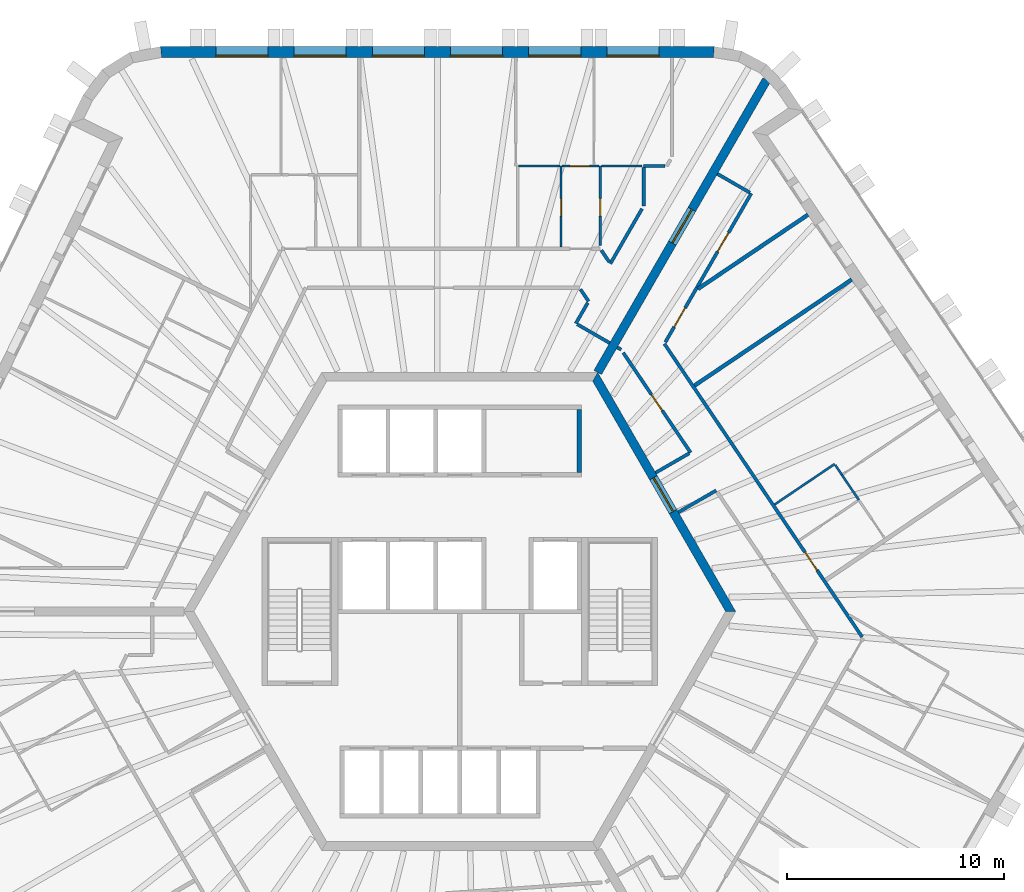
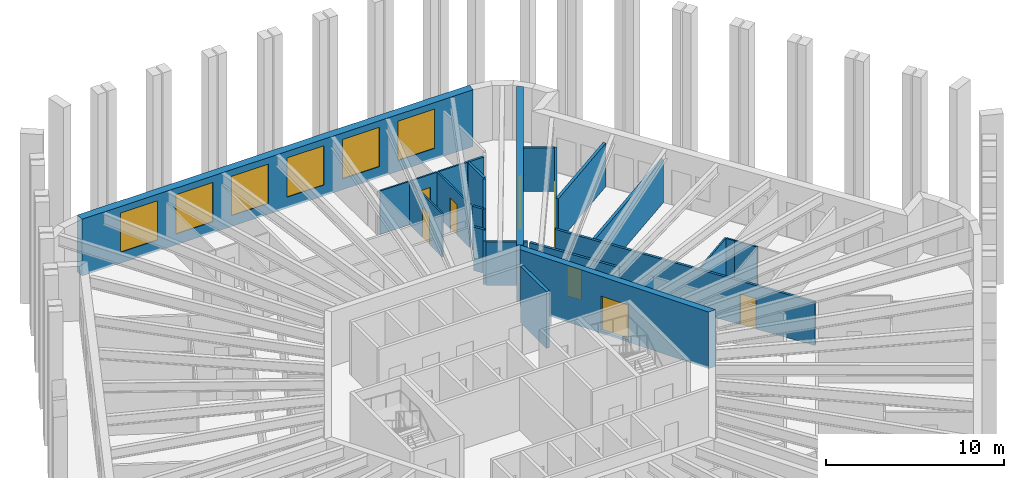
# One storey, part 10 of 13: 28 walls, 9 doors, 6 windows, 15 openings.
"""IFC4 building model written with IfcOpenShell, lengths in metres."""

from ifc_helpers import new_model, si_unit, direction, frame, frame_2d, origin, place, context, subcontext, project, spatial, polyline, rectangle, outline, extrude, material, layer, layer_set, type_object, element, fill, save


model = new_model("IFC4")

# Units and contexts
model_context = context("Model", 3, precision=1e-05, world=origin(), true_north=direction((0.0, 1.0)))
body_context = subcontext(model_context, "Body", "Model", "MODEL_VIEW")
ifc_project = project(units=[si_unit("LENGTHUNIT", "METRE"), si_unit("AREAUNIT", "SQUARE_METRE"), si_unit("VOLUMEUNIT", "CUBIC_METRE"), si_unit("PLANEANGLEUNIT", "RADIAN"), si_unit("MASSUNIT", "GRAM", prefix="KILO")], contexts=[model_context])

# Site, building, storey
site_placement = place(None, origin())
site = spatial("IfcSite", under=ifc_project, at=site_placement, CompositionType="ELEMENT")
building_placement = place(site_placement, origin())
building = spatial("IfcBuilding", under=site, at=building_placement, Name="Tarnside Tower", CompositionType="ELEMENT")
storey_placement = place(building_placement, frame((0.0, 0.0, 314.699951171875)))
storey = spatial("IfcBuildingStorey", under=building, at=storey_placement, Name="L76", CompositionType="ELEMENT", Elevation=314.699951171875)

# Wall, opening, door
ifc_material_1 = material(Name="Gypsum board partition on steel studs", Category="steel")
ifc_layer_1 = layer(ifc_material_1, 0.10009765625)
ifc_layer_set_1 = layer_set([ifc_layer_1], Name="Bathroom wall 100")
wall_type_1 = type_object("IfcWallType", Name="Bathroom wall 100", PredefinedType="PARTITIONING", material=ifc_layer_set_1)
wall_1_placement = place(storey_placement, frame((4.6669921875, 20.5, 0.0), z_axis=(0.0, 0.0, 1.0), x_axis=(0.0, -1.0, 0.0)))
wall_1 = element("IfcWall", 1, at=wall_1_placement, inside=storey, type_object=wall_type_1, Name="Bathroom wall 25089", PredefinedType="PARTITIONING", context=body_context, shape_type="SweptSolid", body=[
    extrude(rectangle(XDim=3.72509765625, YDim=0.10009765625, at=frame_2d((1.862548828125, 0.0))), origin(), (0.0, 0.0, 1.0), 2.98779296875),
])
opening_1_placement = place(wall_1_placement, frame((1.5, 0.0, 0.0)))
opening_1 = element("IfcOpeningElement", 2, at=opening_1_placement, cuts=wall_1, Name="Opening D-B1", PredefinedType="OPENING", context=body_context, shape_type="SweptSolid", body=[
    extrude(rectangle(XDim=0.800048828125, YDim=2.10009765625, at=frame_2d((0.39990234375, 1.050048828125))), frame((0.0, 0.06005859375, 0.0), z_axis=(0.0, -1.0, 0.0), x_axis=(1.0, 0.0, 0.0)), (0.0, 0.0, 1.0), 0.1201171875),
])
ifc_material_2 = material(Name="Timber door leaf", Category="wood")
door_type_1 = type_object("IfcDoorType", Name="Bathroom door 800", OperationType="NOTDEFINED", PredefinedType="DOOR", material=ifc_material_2)
door_1_placement = place(opening_1_placement, origin())
door_1 = element("IfcDoor", 3, at=door_1_placement, inside=storey, type_object=door_type_1, Name="Bathroom door 25002", OperationType="SINGLE_SWING_LEFT", OverallHeight=2.10009765625, OverallWidth=0.800048828125, PredefinedType="DOOR", context=body_context, shape_type="SweptSolid", body=[
    extrude(rectangle(XDim=0.800048828125, YDim=2.10009765625, at=frame_2d((0.39990234375, 1.050048828125))), frame((0.0, 0.02490234375, 0.0), z_axis=(0.0, -1.0, 0.0), x_axis=(1.0, 0.0, 0.0)), (0.0, 0.0, 1.0), 0.050048828125),
])
fill(opening_1, door_1)

wall_2_placement = place(storey_placement, frame((6.467041015625, 16.834228515625, 0.0), z_axis=(0.0, 0.0, 1.0), x_axis=(0.0, 1.0, 0.0)))
wall_2 = element("IfcWall", 4, at=wall_2_placement, inside=storey, type_object=wall_type_1, Name="Bathroom wall 25092", PredefinedType="PARTITIONING", context=body_context, shape_type="SweptSolid", body=[
    extrude(rectangle(XDim=3.665771484375, YDim=0.10009765625, at=frame_2d((1.8330078125, 0.0))), origin(), (0.0, 0.0, 1.0), 2.98779296875),
])
opening_2_placement = place(wall_2_placement, frame((1.365966796875, 0.0, 0.0)))
opening_2 = element("IfcOpeningElement", 5, at=opening_2_placement, cuts=wall_2, Name="Opening D-B1", PredefinedType="OPENING", context=body_context, shape_type="SweptSolid", body=[
    extrude(rectangle(XDim=0.800048828125, YDim=2.10009765625, at=frame_2d((0.39990234375, 1.050048828125))), frame((0.0, 0.06005859375, 0.0), z_axis=(0.0, -1.0, 0.0), x_axis=(1.0, 0.0, 0.0)), (0.0, 0.0, 1.0), 0.1201171875),
])
door_2_placement = place(opening_2_placement, origin())
door_2 = element("IfcDoor", 6, at=door_2_placement, inside=storey, type_object=door_type_1, Name="Bathroom door 25011", OperationType="SINGLE_SWING_RIGHT", OverallHeight=2.10009765625, OverallWidth=0.800048828125, PredefinedType="DOOR", context=body_context, shape_type="SweptSolid", body=[
    extrude(rectangle(XDim=0.800048828125, YDim=2.10009765625, at=frame_2d((0.39990234375, 1.050048828125))), frame((0.0, 0.02490234375, 0.0), z_axis=(0.0, -1.0, 0.0), x_axis=(1.0, 0.0, 0.0)), (0.0, 0.0, 1.0), 0.050048828125),
])
fill(opening_2, door_2)

# Walls
wall_3_placement = place(storey_placement, frame((4.619140625, 20.5, 0.0), z_axis=(0.0, 0.0, 1.0), x_axis=(-1.0, 0.0, 0.0)))
element("IfcWall", 7, at=wall_3_placement, inside=storey, type_object=wall_type_1, Name="Bathroom wall 25093", PredefinedType="PARTITIONING", context=body_context, shape_type="SweptSolid", body=[
    extrude(rectangle(XDim=1.904052734375, YDim=0.10009765625, at=frame_2d((0.9521484375, 0.0))), origin(), (0.0, 0.0, 1.0), 2.98779296875),
])
wall_4_placement = place(storey_placement, frame((6.51708984375, 20.5, 0.0), z_axis=(0.0, 0.0, 1.0), x_axis=(1.0, 0.0, 0.0)))
element("IfcWall", 8, at=wall_4_placement, inside=storey, type_object=wall_type_1, Name="Bathroom wall 25095", PredefinedType="PARTITIONING", context=body_context, shape_type="SweptSolid", body=[
    extrude(rectangle(XDim=1.875, YDim=0.10009765625, at=frame_2d((0.9375, 0.0))), origin(), (0.0, 0.0, 1.0), 2.98779296875),
])
wall_5_placement = place(storey_placement, frame((14.49951171875, 4.925537109375, 0.0), z_axis=(0.0, 0.0, 1.0), x_axis=(0.829067379225, 0.559148710725, 0.0)))
element("IfcWall", 9, at=wall_5_placement, inside=storey, type_object=wall_type_1, Name="Bathroom wall 25166", PredefinedType="PARTITIONING", context=body_context, shape_type="SweptSolid", body=[
    extrude(rectangle(XDim=3.324951171875, YDim=0.10009765625, at=frame_2d((1.66259765625, 0.0))), origin(), (0.0, 0.0, 1.0), 2.98779296875),
])
wall_6_placement = place(storey_placement, frame((17.2841796875, 6.743408203125, 0.0), z_axis=(0.0, 0.0, 1.0), x_axis=(0.55897906803, -0.829181766263, 0.0)))
element("IfcWall", 10, at=wall_6_placement, inside=storey, type_object=wall_type_1, Name="Bathroom wall 25167", PredefinedType="PARTITIONING", context=body_context, shape_type="SweptSolid", body=[
    extrude(rectangle(XDim=0.552001953125, YDim=0.10009765625, at=frame_2d((0.27587890625, 0.0))), origin(), (0.0, 0.0, 1.0), 2.98779296875),
])
wall_7_placement = place(storey_placement, frame((18.375732421875, 5.125, 0.0), z_axis=(0.0, 0.0, 1.0), x_axis=(-0.559152802616, 0.829064619512, 0.0)))
element("IfcWall", 11, at=wall_7_placement, inside=storey, type_object=wall_type_1, Name="Bathroom wall 25172", PredefinedType="PARTITIONING", context=body_context, shape_type="SweptSolid", body=[
    extrude(rectangle(XDim=1.402099609375, YDim=0.10009765625, at=frame_2d((0.701171875, 0.0))), origin(), (0.0, 0.0, 1.0), 2.98779296875),
])

# Wall, opening, door
ifc_material_3 = material(Name="Concrete C60/75", Category="concrete")
ifc_layer_2 = layer(ifc_material_3, 0.39990234375)
ifc_layer_set_2 = layer_set([ifc_layer_2], Name="Core wall Z3 400 C60/75")
wall_type_2 = type_object("IfcWallType", Name="Core wall Z3 400 C60/75", PredefinedType="SHEAR", material=ifc_layer_set_2)
wall_8_placement = place(storey_placement, frame((12.470703125, 0.0, -0.14990234375), z_axis=(0.0, 0.0, 1.0), x_axis=(-0.499996419489, 0.866027470984, 0.0)))
wall_8 = element("IfcWall", 12, at=wall_8_placement, inside=storey, type_object=wall_type_2, Name="L76 core wall face 6", PredefinedType="SHEAR", context=body_context, shape_type="SweptSolid", body=[
    extrude(outline(polyline([(-0.115478515625, -0.199951171875), (12.586181640625, -0.199951171875), (12.355224609375, 0.199951171875), (0.115478515625, 0.199951171875), (-0.115478515625, -0.199951171875)])), origin(), (0.0, 0.0, 1.0), 3.89990234375),
])
opening_3_placement = place(wall_8_placement, frame((5.306396484375, 0.0, 0.14990234375)))
opening_3 = element("IfcOpeningElement", 13, at=opening_3_placement, cuts=wall_8, Name="Opening CD-LOB", PredefinedType="OPENING", context=body_context, shape_type="SweptSolid", body=[
    extrude(rectangle(XDim=1.800048828125, YDim=2.39990234375, at=frame_2d((0.89990234375, 1.199951171875))), frame((0.0, 0.2099609375, 0.0), z_axis=(0.0, -1.0, 0.0), x_axis=(1.0, 0.0, 0.0)), (0.0, 0.0, 1.0), 0.419921875),
])
ifc_material_4 = material(Name="Steel fire door", Category="steel")
door_type_2 = type_object("IfcDoorType", Name="Lobby double door FD30S 1800x2400", OperationType="NOTDEFINED", PredefinedType="DOOR", material=ifc_material_4)
door_3_placement = place(opening_3_placement, origin())
door_3 = element("IfcDoor", 14, at=door_3_placement, inside=storey, type_object=door_type_2, Name="L76 core door P2", OperationType="DOUBLE_DOOR_SINGLE_SWING", OverallHeight=2.39990234375, OverallWidth=1.800048828125, PredefinedType="DOOR", context=body_context, shape_type="SweptSolid", body=[
    extrude(rectangle(XDim=1.800048828125, YDim=2.39990234375, at=frame_2d((0.89990234375, 1.199951171875))), frame((0.0, 0.02490234375, 0.0), z_axis=(0.0, -1.0, 0.0), x_axis=(1.0, 0.0, 0.0)), (0.0, 0.0, 1.0), 0.050048828125),
])
fill(opening_3, door_3)

wall_9_placement = place(storey_placement, frame((6.350830078125, 11.0, -0.14990234375), z_axis=(0.0, 0.0, 1.0), x_axis=(0.499998894578, 0.866026041999, 0.0)))
wall_9 = element("IfcWall", 15, at=wall_9_placement, inside=storey, type_object=wall_type_2, Name="L76 spine wall 1", PredefinedType="SHEAR", context=body_context, shape_type="SweptSolid", body=[
    extrude(rectangle(XDim=15.54443359375, YDim=0.39990234375, at=frame_2d((7.772216796875, 0.0))), origin(), (0.0, 0.0, 1.0), 3.89990234375),
])
opening_4_placement = place(wall_9_placement, frame((6.872314453125, 0.0, 0.14990234375)))
opening_4 = element("IfcOpeningElement", 16, at=opening_4_placement, cuts=wall_9, Name="Opening CD-SPN", PredefinedType="OPENING", context=body_context, shape_type="SweptSolid", body=[
    extrude(rectangle(XDim=1.800048828125, YDim=2.39990234375, at=frame_2d((0.89990234375, 1.199951171875))), frame((0.0, 0.2099609375, 0.0), z_axis=(0.0, -1.0, 0.0), x_axis=(1.0, 0.0, 0.0)), (0.0, 0.0, 1.0), 0.419921875),
])
door_type_3 = type_object("IfcDoorType", Name="Spine passage double door FD60 1800x2400", OperationType="NOTDEFINED", PredefinedType="DOOR", material=ifc_material_4)
door_4_placement = place(opening_4_placement, origin())
door_4 = element("IfcDoor", 17, at=door_4_placement, inside=storey, type_object=door_type_3, Name="L76 spine passage door 1", OperationType="DOUBLE_DOOR_SINGLE_SWING", OverallHeight=2.39990234375, OverallWidth=1.800048828125, PredefinedType="DOOR", context=body_context, shape_type="SweptSolid", body=[
    extrude(rectangle(XDim=1.800048828125, YDim=2.39990234375, at=frame_2d((0.89990234375, 1.199951171875))), frame((0.0, 0.02490234375, 0.0), z_axis=(0.0, -1.0, 0.0), x_axis=(1.0, 0.0, 0.0)), (0.0, 0.0, 1.0), 0.050048828125),
])
fill(opening_4, door_4)

# Walls
ifc_layer_3 = layer(ifc_material_1, 0.14990234375)
ifc_layer_set_3 = layer_set([ifc_layer_3], Name="Corridor wall 150 EI 60")
wall_type_3 = type_object("IfcWallType", Name="Corridor wall 150 EI 60", PredefinedType="PARTITIONING", material=ifc_layer_set_3)
wall_10_placement = place(storey_placement, frame((9.439697265625, 20.5, 0.0), z_axis=(0.0, 0.0, 1.0), x_axis=(-1.0, 0.0, 0.0)))
element("IfcWall", 18, at=wall_10_placement, inside=storey, type_object=wall_type_3, Name="Corridor wall 25006", PredefinedType="PARTITIONING", context=body_context, shape_type="SweptSolid", body=[
    extrude(rectangle(XDim=0.976318359375, YDim=0.14990234375, at=frame_2d((0.48828125, 0.0))), origin(), (0.0, 0.0, 1.0), 2.98779296875),
])
wall_11_placement = place(storey_placement, frame((8.467041015625, 20.425048828125, 0.0), z_axis=(0.0, 0.0, 1.0), x_axis=(0.0, -1.0, 0.0)))
element("IfcWall", 19, at=wall_11_placement, inside=storey, type_object=wall_type_3, Name="Corridor wall 25007", PredefinedType="PARTITIONING", context=body_context, shape_type="SweptSolid", body=[
    extrude(rectangle(XDim=1.759521484375, YDim=0.14990234375, at=frame_2d((0.8798828125, 0.0))), origin(), (0.0, 0.0, 1.0), 2.98779296875),
])
wall_12_placement = place(storey_placement, frame((8.39208984375, 18.53564453125, 0.0), z_axis=(0.0, 0.0, 1.0), x_axis=(-0.49996389635, -0.866046247233, 0.0)))
element("IfcWall", 20, at=wall_12_placement, inside=storey, type_object=wall_type_3, Name="Corridor wall 25008", PredefinedType="PARTITIONING", context=body_context, shape_type="SweptSolid", body=[
    extrude(rectangle(XDim=2.917724609375, YDim=0.14990234375, at=frame_2d((1.458984375, 0.0))), origin(), (0.0, 0.0, 1.0), 2.98779296875),
])
wall_13_placement = place(storey_placement, frame((6.88671875, 16.078125, 0.0), z_axis=(0.0, 0.0, 1.0), x_axis=(-0.559472855001, 0.828848674076, 0.0)))
element("IfcWall", 21, at=wall_13_placement, inside=storey, type_object=wall_type_3, Name="Corridor wall 25009", PredefinedType="PARTITIONING", context=body_context, shape_type="SweptSolid", body=[
    extrude(rectangle(XDim=0.659912109375, YDim=0.14990234375, at=frame_2d((0.330078125, 0.0))), origin(), (0.0, 0.0, 1.0), 2.98779296875),
])
wall_14_placement = place(storey_placement, frame((5.560546875, 14.824951171875, 0.0), z_axis=(0.0, 0.0, 1.0), x_axis=(0.559188682258, -0.829040419784, 0.0)))
element("IfcWall", 22, at=wall_14_placement, inside=storey, type_object=wall_type_3, Name="Corridor wall 25022", PredefinedType="PARTITIONING", context=body_context, shape_type="SweptSolid", body=[
    extrude(rectangle(XDim=0.6640625, YDim=0.14990234375, at=frame_2d((0.33203125, 0.0))), origin(), (0.0, 0.0, 1.0), 2.98779296875),
])
wall_15_placement = place(storey_placement, frame((5.89013671875, 14.2021484375, 0.0), z_axis=(0.0, 0.0, 1.0), x_axis=(-0.499986987217, -0.866032916588, 0.0)))
element("IfcWall", 23, at=wall_15_placement, inside=storey, type_object=wall_type_3, Name="Corridor wall 25023", PredefinedType="PARTITIONING", context=body_context, shape_type="SweptSolid", body=[
    extrude(rectangle(XDim=1.091796875, YDim=0.14990234375, at=frame_2d((0.5458984375, 0.0))), origin(), (0.0, 0.0, 1.0), 2.98779296875),
])
wall_16_placement = place(storey_placement, frame((5.4091796875, 13.218994140625, 0.0), z_axis=(0.0, 0.0, 1.0), x_axis=(0.866013532718, -0.500020560727, 0.0)))
element("IfcWall", 24, at=wall_16_placement, inside=storey, type_object=wall_type_3, Name="Corridor wall 25024", PredefinedType="PARTITIONING", context=body_context, shape_type="SweptSolid", body=[
    extrude(rectangle(XDim=1.72509765625, YDim=0.14990234375, at=frame_2d((0.862548828125, 0.0))), origin(), (0.0, 0.0, 1.0), 2.98779296875),
])

# Wall, opening, door
wall_17_placement = place(storey_placement, frame((18.52099609375, -1.170654296875, 0.0), z_axis=(0.0, 0.0, 1.0), x_axis=(-0.559193232449, 0.829037350656, 0.0)))
wall_17 = element("IfcWall", 25, at=wall_17_placement, inside=storey, type_object=wall_type_3, Name="Corridor wall 25062", PredefinedType="PARTITIONING", context=body_context, shape_type="SweptSolid", body=[
    extrude(rectangle(XDim=16.27197265625, YDim=0.14990234375, at=frame_2d((8.135986328125, 0.0))), origin(), (0.0, 0.0, 1.0), 2.98779296875),
])
opening_5_placement = place(wall_17_placement, frame((3.70263671875, 0.0, 0.0)))
opening_5 = element("IfcOpeningElement", 26, at=opening_5_placement, cuts=wall_17, Name="Opening D-E1", PredefinedType="OPENING", context=body_context, shape_type="SweptSolid", body=[
    extrude(rectangle(XDim=1.0, YDim=2.10009765625, at=frame_2d((0.5, 1.050048828125))), frame((0.0, 0.0849609375, 0.0), z_axis=(0.0, -1.0, 0.0), x_axis=(1.0, 0.0, 0.0)), (0.0, 0.0, 1.0), 0.169921875),
])
door_type_4 = type_object("IfcDoorType", Name="Unit entrance door 1000 FD30S", OperationType="NOTDEFINED", PredefinedType="DOOR", material=ifc_material_2)
door_5_placement = place(opening_5_placement, origin())
door_5 = element("IfcDoor", 27, at=door_5_placement, inside=storey, type_object=door_type_4, Name="Unit door 25061", OperationType="SINGLE_SWING_RIGHT", OverallHeight=2.10009765625, OverallWidth=1.0, PredefinedType="DOOR", context=body_context, shape_type="SweptSolid", body=[
    extrude(rectangle(XDim=1.0, YDim=2.10009765625, at=frame_2d((0.5, 1.050048828125))), frame((0.0, 0.02490234375, 0.0), z_axis=(0.0, -1.0, 0.0), x_axis=(1.0, 0.0, 0.0)), (0.0, 0.0, 1.0), 0.050048828125),
])
fill(opening_5, door_5)

# Wall, openings, doors
wall_18_placement = place(storey_placement, frame((9.463623046875, 12.3916015625, 0.0), z_axis=(0.0, 0.0, 1.0), x_axis=(0.499999400414, 0.866025749955, 0.0)))
wall_18 = element("IfcWall", 28, at=wall_18_placement, inside=storey, type_object=wall_type_3, Name="Corridor wall 25070", PredefinedType="PARTITIONING", context=body_context, shape_type="SweptSolid", body=[
    extrude(rectangle(XDim=7.91064453125, YDim=0.14990234375, at=frame_2d((3.955322265625, 0.0))), origin(), (0.0, 0.0, 1.0), 2.98779296875),
])
opening_6_placement = place(wall_18_placement, frame((0.8203125, 0.0, 0.0)))
opening_6 = element("IfcOpeningElement", 29, at=opening_6_placement, cuts=wall_18, Name="Opening D-E1", PredefinedType="OPENING", context=body_context, shape_type="SweptSolid", body=[
    extrude(rectangle(XDim=1.0, YDim=2.10009765625, at=frame_2d((0.5, 1.050048828125))), frame((0.0, 0.0849609375, 0.0), z_axis=(0.0, -1.0, 0.0), x_axis=(1.0, 0.0, 0.0)), (0.0, 0.0, 1.0), 0.169921875),
])
opening_7_placement = place(wall_18_placement, frame((4.8173828125, 0.0, 0.0)))
opening_7 = element("IfcOpeningElement", 30, at=opening_7_placement, cuts=wall_18, Name="Opening D-E1", PredefinedType="OPENING", context=body_context, shape_type="SweptSolid", body=[
    extrude(rectangle(XDim=1.0, YDim=2.10009765625, at=frame_2d((0.5, 1.050048828125))), frame((0.0, 0.0849609375, 0.0), z_axis=(0.0, -1.0, 0.0), x_axis=(1.0, 0.0, 0.0)), (0.0, 0.0, 1.0), 0.169921875),
])
door_6_placement = place(opening_6_placement, origin())
door_6 = element("IfcDoor", 31, at=door_6_placement, inside=storey, type_object=door_type_4, Name="Unit door 25067", OperationType="SINGLE_SWING_RIGHT", OverallHeight=2.10009765625, OverallWidth=1.0, PredefinedType="DOOR", context=body_context, shape_type="SweptSolid", body=[
    extrude(rectangle(XDim=1.0, YDim=2.10009765625, at=frame_2d((0.5, 1.050048828125))), frame((0.0, 0.02490234375, 0.0), z_axis=(0.0, -1.0, 0.0), x_axis=(1.0, 0.0, 0.0)), (0.0, 0.0, 1.0), 0.050048828125),
])
fill(opening_6, door_6)
door_7_placement = place(opening_7_placement, origin())
door_7 = element("IfcDoor", 32, at=door_7_placement, inside=storey, type_object=door_type_4, Name="Unit door 25068", OperationType="SINGLE_SWING_LEFT", OverallHeight=2.10009765625, OverallWidth=1.0, PredefinedType="DOOR", context=body_context, shape_type="SweptSolid", body=[
    extrude(rectangle(XDim=1.0, YDim=2.10009765625, at=frame_2d((0.5, 1.050048828125))), frame((0.0, 0.02490234375, 0.0), z_axis=(0.0, -1.0, 0.0), x_axis=(1.0, 0.0, 0.0)), (0.0, 0.0, 1.0), 0.050048828125),
])
fill(opening_7, door_7)

# Walls
wall_19_placement = place(storey_placement, frame((13.35400390625, 19.280029296875, 0.0), z_axis=(0.0, 0.0, 1.0), x_axis=(-0.866074815912, 0.499914405916, 0.0)))
element("IfcWall", 33, at=wall_19_placement, inside=storey, type_object=wall_type_3, Name="Corridor wall 25072", PredefinedType="PARTITIONING", context=body_context, shape_type="SweptSolid", body=[
    extrude(rectangle(XDim=1.724853515625, YDim=0.14990234375, at=frame_2d((0.8623046875, 0.0))), origin(), (0.0, 0.0, 1.0), 2.98779296875),
])
wall_20_placement = place(storey_placement, frame((10.065673828125, 4.565673828125, 0.0), z_axis=(0.0, 0.0, 1.0), x_axis=(0.866033651025, 0.499985715088, 0.0)))
element("IfcWall", 34, at=wall_20_placement, inside=storey, type_object=wall_type_3, Name="Corridor wall 25073", PredefinedType="PARTITIONING", context=body_context, shape_type="SweptSolid", body=[
    extrude(rectangle(XDim=2.0068359375, YDim=0.14990234375, at=frame_2d((1.00341796875, 0.0))), origin(), (0.0, 0.0, 1.0), 2.98779296875),
])
wall_21_placement = place(storey_placement, frame((7.24951171875, 12.156494140625, 0.0), z_axis=(0.0, 0.0, 1.0), x_axis=(0.866088799389, -0.499890179513, 0.0)))
element("IfcWall", 35, at=wall_21_placement, inside=storey, type_object=wall_type_3, Name="Corridor wall 25082", PredefinedType="PARTITIONING", context=body_context, shape_type="SweptSolid", body=[
    extrude(rectangle(XDim=0.2099609375, YDim=0.14990234375, at=frame_2d((0.10498046875, 0.0))), origin(), (0.0, 0.0, 1.0), 2.98779296875),
])

# Wall, opening, door
wall_22_placement = place(storey_placement, frame((7.527099609375, 11.90966796875, 0.0), z_axis=(0.0, 0.0, 1.0), x_axis=(0.5592050336, -0.82902939055, 0.0)))
wall_22 = element("IfcWall", 36, at=wall_22_placement, inside=storey, type_object=wall_type_3, Name="Corridor wall 25083", PredefinedType="PARTITIONING", context=body_context, shape_type="SweptSolid", body=[
    extrude(rectangle(XDim=5.54296875, YDim=0.14990234375, at=frame_2d((2.771484375, 0.0))), origin(), (0.0, 0.0, 1.0), 2.98779296875),
])
opening_8_placement = place(wall_22_placement, frame((2.321533203125, 0.0, 0.0)))
opening_8 = element("IfcOpeningElement", 37, at=opening_8_placement, cuts=wall_22, Name="Opening D-S1", PredefinedType="OPENING", context=body_context, shape_type="SweptSolid", body=[
    extrude(rectangle(XDim=0.89990234375, YDim=2.10009765625, at=frame_2d((0.449951171875, 1.050048828125))), frame((0.0, 0.0849609375, 0.0), z_axis=(0.0, -1.0, 0.0), x_axis=(1.0, 0.0, 0.0)), (0.0, 0.0, 1.0), 0.169921875),
])
door_type_5 = type_object("IfcDoorType", Name="Service room door 900 FD30S", OperationType="NOTDEFINED", PredefinedType="DOOR", material=ifc_material_2)
door_8_placement = place(opening_8_placement, origin())
door_8 = element("IfcDoor", 38, at=door_8_placement, inside=storey, type_object=door_type_5, Name="Service door 25077", OperationType="SINGLE_SWING_RIGHT", OverallHeight=2.10009765625, OverallWidth=0.89990234375, PredefinedType="DOOR", context=body_context, shape_type="SweptSolid", body=[
    extrude(rectangle(XDim=0.89990234375, YDim=2.10009765625, at=frame_2d((0.449951171875, 1.050048828125))), frame((0.0, 0.02490234375, 0.0), z_axis=(0.0, -1.0, 0.0), x_axis=(1.0, 0.0, 0.0)), (0.0, 0.0, 1.0), 0.050048828125),
])
fill(opening_8, door_8)

# Walls
wall_23_placement = place(storey_placement, frame((10.5615234375, 7.27685546875, 0.0), z_axis=(0.0, 0.0, 1.0), x_axis=(-0.86601248742, -0.500022371132, 0.0)))
element("IfcWall", 39, at=wall_23_placement, inside=storey, type_object=wall_type_3, Name="Corridor wall 25084", PredefinedType="PARTITIONING", context=body_context, shape_type="SweptSolid", body=[
    extrude(rectangle(XDim=1.78515625, YDim=0.14990234375, at=frame_2d((0.892578125, 0.0))), origin(), (0.0, 0.0, 1.0), 2.98779296875),
])
ifc_layer_4 = layer(ifc_material_1, 0.179931640625)
ifc_layer_set_4 = layer_set([ifc_layer_4], Name="Demising wall 180 EI 60")
wall_type_4 = type_object("IfcWallType", Name="Demising wall 180 EI 60", PredefinedType="PARTITIONING", material=ifc_layer_set_4)
wall_24_placement = place(storey_placement, frame((18.042236328125, 15.276123046875, 0.0), z_axis=(0.0, 0.0, 1.0), x_axis=(-0.829028989438, -0.559205628254, 0.0)))
element("IfcWall", 40, at=wall_24_placement, inside=storey, type_object=wall_type_4, Name="Demising wall 25169", PredefinedType="PARTITIONING", context=body_context, shape_type="SweptSolid", body=[
    extrude(rectangle(XDim=8.72509765625, YDim=0.179931640625, at=frame_2d((4.362548828125, 0.0))), origin(), (0.0, 0.0, 1.0), 2.98779296875),
])
wall_25_placement = place(storey_placement, frame((16.029296875, 18.260498046875, 0.0), z_axis=(0.0, 0.0, 1.0), x_axis=(-0.829048418375, -0.559176823545, 0.0)))
element("IfcWall", 41, at=wall_25_placement, inside=storey, type_object=wall_type_4, Name="Demising wall 25173", PredefinedType="PARTITIONING", context=body_context, shape_type="SweptSolid", body=[
    extrude(rectangle(XDim=6.10546875, YDim=0.179931640625, at=frame_2d((3.052734375, 0.0))), origin(), (0.0, 0.0, 1.0), 2.98779296875),
])
ifc_material_5 = material(Name="Concrete C40/50", Category="concrete")
ifc_layer_5 = layer(ifc_material_5, 0.199951171875)
ifc_layer_set_5 = layer_set([ifc_layer_5], Name="Lift shaft wall 200 C40/50")
wall_type_5 = type_object("IfcWallType", Name="Lift shaft wall 200 C40/50", PredefinedType="SHEAR", material=ifc_layer_set_5)
wall_26_placement = place(storey_placement, frame((5.5, 6.39990234375, -0.25), z_axis=(0.0, 0.0, 1.0), x_axis=(0.0, 1.0, 0.0)))
element("IfcWall", 42, at=wall_26_placement, inside=storey, type_object=wall_type_5, Name="L76 lift shaft partition R16", PredefinedType="SHEAR", context=body_context, shape_type="SweptSolid", body=[
    extrude(rectangle(XDim=2.900146484375, YDim=0.199951171875, at=frame_2d((1.4501953125, 0.0))), origin(), (0.0, 0.0, 1.0), 3.900146484375),
])

# Wall, opening, door
ifc_layer_6 = layer(ifc_material_1, 0.10009765625)
ifc_layer_set_6 = layer_set([ifc_layer_6], Name="Partition 100")
wall_type_6 = type_object("IfcWallType", Name="Partition 100", PredefinedType="PARTITIONING", material=ifc_layer_set_6)
wall_27_placement = place(storey_placement, frame((6.419189453125, 20.5, 0.0), z_axis=(0.0, 0.0, 1.0), x_axis=(-1.0, 0.0, 0.0)))
wall_27 = element("IfcWall", 43, at=wall_27_placement, inside=storey, type_object=wall_type_6, Name="Partition wall 25090", PredefinedType="PARTITIONING", context=body_context, shape_type="SweptSolid", body=[
    extrude(rectangle(XDim=1.7041015625, YDim=0.10009765625, at=frame_2d((0.85205078125, 0.0))), origin(), (0.0, 0.0, 1.0), 2.98779296875),
])
opening_9_placement = place(wall_27_placement, frame((0.44384765625, 0.0, 0.0)))
opening_9 = element("IfcOpeningElement", 44, at=opening_9_placement, cuts=wall_27, Name="Opening D-I1", PredefinedType="OPENING", context=body_context, shape_type="SweptSolid", body=[
    extrude(rectangle(XDim=0.89990234375, YDim=2.10009765625, at=frame_2d((0.449951171875, 1.050048828125))), frame((0.0, 0.06005859375, 0.0), z_axis=(0.0, -1.0, 0.0), x_axis=(1.0, 0.0, 0.0)), (0.0, 0.0, 1.0), 0.1201171875),
])
door_type_6 = type_object("IfcDoorType", Name="Internal door 900", OperationType="NOTDEFINED", PredefinedType="DOOR", material=ifc_material_2)
door_9_placement = place(opening_9_placement, origin())
door_9 = element("IfcDoor", 45, at=door_9_placement, inside=storey, type_object=door_type_6, Name="Internal door 25005", OperationType="SINGLE_SWING_RIGHT", OverallHeight=2.10009765625, OverallWidth=0.89990234375, PredefinedType="DOOR", context=body_context, shape_type="SweptSolid", body=[
    extrude(rectangle(XDim=0.89990234375, YDim=2.10009765625, at=frame_2d((0.449951171875, 1.050048828125))), frame((0.0, 0.02490234375, 0.0), z_axis=(0.0, -1.0, 0.0), x_axis=(1.0, 0.0, 0.0)), (0.0, 0.0, 1.0), 0.050048828125),
])
fill(opening_9, door_9)

# Wall, openings, windows
ifc_material_6 = material(Name="Facing brick", Category="masonry")
ifc_layer_7 = layer(ifc_material_6, 0.10205078125)
ifc_material_7 = material(Name="Concrete C60/75 precast", Category="concrete")
ifc_layer_8 = layer(ifc_material_7, 0.298095703125)
ifc_material_8 = material(Name="Mineral wool insulation")
ifc_layer_9 = layer(ifc_material_8, 0.10009765625)
ifc_layer_set_7 = layer_set([ifc_layer_7, ifc_layer_8, ifc_layer_9], Name="Tube wall 500 brick faced")
wall_type_7 = type_object("IfcWallType", Name="Tube wall 500 brick faced", PredefinedType="SOLIDWALL", material=ifc_layer_set_7)
wall_28_placement = place(storey_placement, frame((11.697509765625, 25.75, -0.14990234375), z_axis=(0.0, 0.0, 1.0), x_axis=(-1.0, 0.0, 0.0)))
wall_28 = element("IfcWall", 46, at=wall_28_placement, inside=storey, type_object=wall_type_7, Name="Tube wall L76 F1 flush 00", PredefinedType="SOLIDWALL", context=body_context, shape_type="SweptSolid", body=[
    extrude(outline(polyline([(-0.0205078125, -0.25), (25.468017578125, -0.25), (25.421142578125, 0.25), (0.0205078125, 0.25), (-0.0205078125, -0.25)])), origin(), (0.0, 0.0, 1.0), 3.89990234375),
])
opening_10_placement = place(wall_28_placement, frame((2.5224609375, 0.0, 0.75)))
opening_10 = element("IfcOpeningElement", 47, at=opening_10_placement, cuts=wall_28, Name="Opening WR", PredefinedType="OPENING", context=body_context, shape_type="SweptSolid", body=[
    extrude(rectangle(XDim=2.39990234375, YDim=2.699951171875, at=frame_2d((1.199951171875, 1.35009765625))), frame((0.0, 0.260009765625, 0.0), z_axis=(0.0, -1.0, 0.0), x_axis=(1.0, 0.0, 0.0)), (0.0, 0.0, 1.0), 0.52001953125),
])
opening_11_placement = place(wall_28_placement, frame((6.122314453125, 0.0, 0.75)))
opening_11 = element("IfcOpeningElement", 48, at=opening_11_placement, cuts=wall_28, Name="Opening WR", PredefinedType="OPENING", context=body_context, shape_type="SweptSolid", body=[
    extrude(rectangle(XDim=2.39990234375, YDim=2.699951171875, at=frame_2d((1.199951171875, 1.35009765625))), frame((0.0, 0.260009765625, 0.0), z_axis=(0.0, -1.0, 0.0), x_axis=(1.0, 0.0, 0.0)), (0.0, 0.0, 1.0), 0.52001953125),
])
opening_12_placement = place(wall_28_placement, frame((9.722412109375, 0.0, 0.75)))
opening_12 = element("IfcOpeningElement", 49, at=opening_12_placement, cuts=wall_28, Name="Opening WR", PredefinedType="OPENING", context=body_context, shape_type="SweptSolid", body=[
    extrude(rectangle(XDim=2.39990234375, YDim=2.699951171875, at=frame_2d((1.199951171875, 1.35009765625))), frame((0.0, 0.260009765625, 0.0), z_axis=(0.0, -1.0, 0.0), x_axis=(1.0, 0.0, 0.0)), (0.0, 0.0, 1.0), 0.52001953125),
])
opening_13_placement = place(wall_28_placement, frame((13.322509765625, 0.0, 0.75)))
opening_13 = element("IfcOpeningElement", 50, at=opening_13_placement, cuts=wall_28, Name="Opening WR", PredefinedType="OPENING", context=body_context, shape_type="SweptSolid", body=[
    extrude(rectangle(XDim=2.39990234375, YDim=2.699951171875, at=frame_2d((1.199951171875, 1.35009765625))), frame((0.0, 0.260009765625, 0.0), z_axis=(0.0, -1.0, 0.0), x_axis=(1.0, 0.0, 0.0)), (0.0, 0.0, 1.0), 0.52001953125),
])
opening_14_placement = place(wall_28_placement, frame((16.92236328125, 0.0, 0.75)))
opening_14 = element("IfcOpeningElement", 51, at=opening_14_placement, cuts=wall_28, Name="Opening WR", PredefinedType="OPENING", context=body_context, shape_type="SweptSolid", body=[
    extrude(rectangle(XDim=2.39990234375, YDim=2.699951171875, at=frame_2d((1.199951171875, 1.35009765625))), frame((0.0, 0.260009765625, 0.0), z_axis=(0.0, -1.0, 0.0), x_axis=(1.0, 0.0, 0.0)), (0.0, 0.0, 1.0), 0.52001953125),
])
opening_15_placement = place(wall_28_placement, frame((20.5224609375, 0.0, 0.75)))
opening_15 = element("IfcOpeningElement", 52, at=opening_15_placement, cuts=wall_28, Name="Opening WR", PredefinedType="OPENING", context=body_context, shape_type="SweptSolid", body=[
    extrude(rectangle(XDim=2.39990234375, YDim=2.699951171875, at=frame_2d((1.199951171875, 1.35009765625))), frame((0.0, 0.260009765625, 0.0), z_axis=(0.0, -1.0, 0.0), x_axis=(1.0, 0.0, 0.0)), (0.0, 0.0, 1.0), 0.52001953125),
])
ifc_material_9 = material(Name="Aluminium-framed double glazing", Category="aluminium")
window_type = type_object("IfcWindowType", Name="Residence window 2400 x 2700", PartitioningType="DOUBLE_PANEL_VERTICAL", PredefinedType="WINDOW", material=ifc_material_9)
window_1_placement = place(opening_10_placement, frame((0.0, 0.179931640625, 0.0)))
window_1 = element("IfcWindow", 53, at=window_1_placement, inside=storey, type_object=window_type, Name="E.WN.L76.F1.00", OverallHeight=2.699951171875, OverallWidth=2.39990234375, PartitioningType="DOUBLE_PANEL_VERTICAL", PredefinedType="WINDOW", context=body_context, shape_type="SweptSolid", body=[
    extrude(rectangle(XDim=2.39990234375, YDim=2.699951171875, at=frame_2d((1.199951171875, 1.35009765625))), frame((0.0, 0.030029296875, 0.0), z_axis=(0.0, -1.0, 0.0), x_axis=(1.0, 0.0, 0.0)), (0.0, 0.0, 1.0), 0.06005859375),
])
fill(opening_10, window_1)
window_2_placement = place(opening_11_placement, frame((0.0, 0.179931640625, 0.0)))
window_2 = element("IfcWindow", 54, at=window_2_placement, inside=storey, type_object=window_type, Name="E.WN.L76.F1.01", OverallHeight=2.699951171875, OverallWidth=2.39990234375, PartitioningType="DOUBLE_PANEL_VERTICAL", PredefinedType="WINDOW", context=body_context, shape_type="SweptSolid", body=[
    extrude(rectangle(XDim=2.39990234375, YDim=2.699951171875, at=frame_2d((1.199951171875, 1.35009765625))), frame((0.0, 0.030029296875, 0.0), z_axis=(0.0, -1.0, 0.0), x_axis=(1.0, 0.0, 0.0)), (0.0, 0.0, 1.0), 0.06005859375),
])
fill(opening_11, window_2)
window_3_placement = place(opening_12_placement, frame((0.0, 0.179931640625, 0.0)))
window_3 = element("IfcWindow", 55, at=window_3_placement, inside=storey, type_object=window_type, Name="E.WN.L76.F1.02", OverallHeight=2.699951171875, OverallWidth=2.39990234375, PartitioningType="DOUBLE_PANEL_VERTICAL", PredefinedType="WINDOW", context=body_context, shape_type="SweptSolid", body=[
    extrude(rectangle(XDim=2.39990234375, YDim=2.699951171875, at=frame_2d((1.199951171875, 1.35009765625))), frame((0.0, 0.030029296875, 0.0), z_axis=(0.0, -1.0, 0.0), x_axis=(1.0, 0.0, 0.0)), (0.0, 0.0, 1.0), 0.06005859375),
])
fill(opening_12, window_3)
window_4_placement = place(opening_13_placement, frame((0.0, 0.179931640625, 0.0)))
window_4 = element("IfcWindow", 56, at=window_4_placement, inside=storey, type_object=window_type, Name="E.WN.L76.F1.03", OverallHeight=2.699951171875, OverallWidth=2.39990234375, PartitioningType="DOUBLE_PANEL_VERTICAL", PredefinedType="WINDOW", context=body_context, shape_type="SweptSolid", body=[
    extrude(rectangle(XDim=2.39990234375, YDim=2.699951171875, at=frame_2d((1.199951171875, 1.35009765625))), frame((0.0, 0.030029296875, 0.0), z_axis=(0.0, -1.0, 0.0), x_axis=(1.0, 0.0, 0.0)), (0.0, 0.0, 1.0), 0.06005859375),
])
fill(opening_13, window_4)
window_5_placement = place(opening_14_placement, frame((0.0, 0.179931640625, 0.0)))
window_5 = element("IfcWindow", 57, at=window_5_placement, inside=storey, type_object=window_type, Name="E.WN.L76.F1.04", OverallHeight=2.699951171875, OverallWidth=2.39990234375, PartitioningType="DOUBLE_PANEL_VERTICAL", PredefinedType="WINDOW", context=body_context, shape_type="SweptSolid", body=[
    extrude(rectangle(XDim=2.39990234375, YDim=2.699951171875, at=frame_2d((1.199951171875, 1.35009765625))), frame((0.0, 0.030029296875, 0.0), z_axis=(0.0, -1.0, 0.0), x_axis=(1.0, 0.0, 0.0)), (0.0, 0.0, 1.0), 0.06005859375),
])
fill(opening_14, window_5)
window_6_placement = place(opening_15_placement, frame((0.0, 0.179931640625, 0.0)))
window_6 = element("IfcWindow", 58, at=window_6_placement, inside=storey, type_object=window_type, Name="E.WN.L76.F1.05", OverallHeight=2.699951171875, OverallWidth=2.39990234375, PartitioningType="DOUBLE_PANEL_VERTICAL", PredefinedType="WINDOW", context=body_context, shape_type="SweptSolid", body=[
    extrude(rectangle(XDim=2.39990234375, YDim=2.699951171875, at=frame_2d((1.199951171875, 1.35009765625))), frame((0.0, 0.030029296875, 0.0), z_axis=(0.0, -1.0, 0.0), x_axis=(1.0, 0.0, 0.0)), (0.0, 0.0, 1.0), 0.06005859375),
])
fill(opening_15, window_6)

save(model, "model.ifc")
